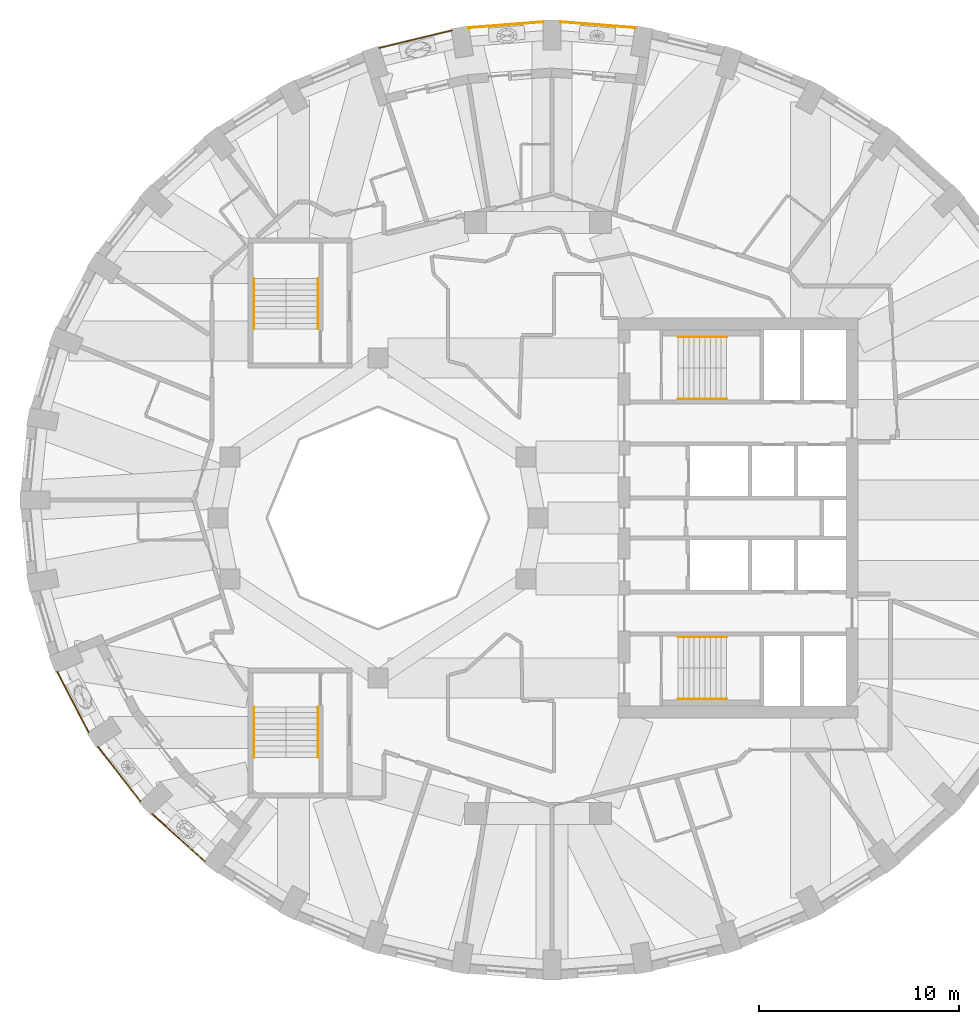
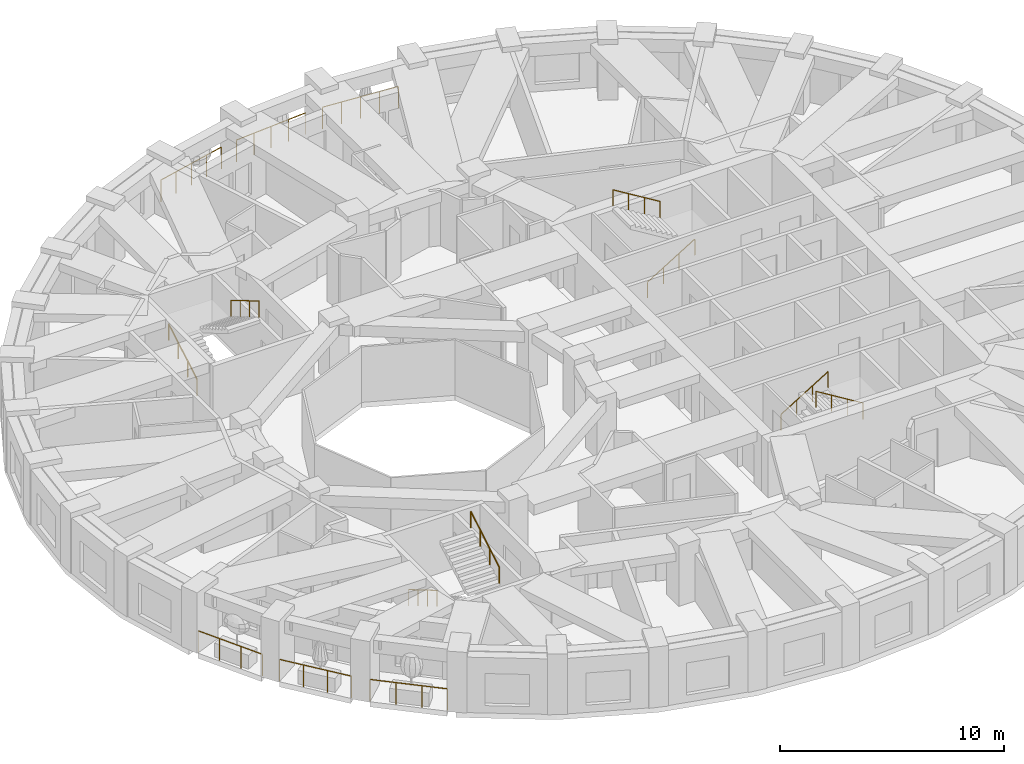
# One storey, part 10 of 12: 14 railings.
"""IFC4 building model written with IfcOpenShell, lengths in metres."""

from ifc_helpers import new_model, si_unit, direction, frame, origin, origin_2d, place, context, subcontext, project, spatial, circle, extrude, material, type_object, element, save


model = new_model("IFC4")

# Units and contexts
model_context = context("Model", 3, precision=1e-05, world=origin(), true_north=direction((0.0, 1.0)))
body_context = subcontext(model_context, "Body", "Model", "MODEL_VIEW")
ifc_project = project(units=[si_unit("LENGTHUNIT", "METRE"), si_unit("AREAUNIT", "SQUARE_METRE"), si_unit("VOLUMEUNIT", "CUBIC_METRE"), si_unit("PLANEANGLEUNIT", "RADIAN"), si_unit("MASSUNIT", "GRAM", prefix="KILO")], contexts=[model_context])

# Site, building, storey
site_placement = place(None, origin())
site = spatial("IfcSite", under=ifc_project, at=site_placement, CompositionType="ELEMENT")
building_placement = place(site_placement, origin())
building = spatial("IfcBuilding", under=site, at=building_placement, Name="Taillehof Tower", CompositionType="ELEMENT")
storey_placement = place(building_placement, frame((0.0, 0.0, 222.199951171875)))
storey = spatial("IfcBuildingStorey", under=building, at=storey_placement, Name="L63", CompositionType="ELEMENT", Elevation=222.199951171875)

# Railings
ifc_material_1 = material(Name="Stainless steel balustrade", Category="steel")
railing_type_1 = type_object("IfcRailingType", Name="Balcony guard 1200", PredefinedType="GUARDRAIL", material=ifc_material_1)
railing_1_placement = place(storey_placement, frame((4.8671875, 24.511962890625, 0.0)))
element("IfcRailing", 1, at=railing_1_placement, inside=storey, type_object=railing_type_1, Name="Balcony guard L63 bay 9", PredefinedType="GUARDRAIL", context=body_context, shape_type="SweptSolid", body=[
    extrude(circle(Radius=0.02392578125, at=origin_2d()), frame((0.0, 0.0, 1.17578125), z_axis=(-0.996920832567, 0.078414626146, 0.0), x_axis=(-0.078414626146, -0.996920832567, 0.0)), (0.0, 0.0, 1.0), 3.74853515625),
    extrude(circle(Radius=0.02099609375, at=origin_2d()), origin(), (0.0, 0.0, 1.0), 1.15185546875),
    extrude(circle(Radius=0.02099609375, at=origin_2d()), frame((-0.934326171875, 0.073486328125, 0.0)), (0.0, 0.0, 1.0), 1.15185546875),
    extrude(circle(Radius=0.02099609375, at=origin_2d()), frame((-1.86865234375, 0.14697265625, 0.0)), (0.0, 0.0, 1.0), 1.15185546875),
    extrude(circle(Radius=0.02099609375, at=origin_2d()), frame((-2.802734375, 0.220458984375, 0.0)), (0.0, 0.0, 1.0), 1.15185546875),
    extrude(circle(Radius=0.02099609375, at=origin_2d()), frame((-3.737060546875, 0.2939453125, 0.0)), (0.0, 0.0, 1.0), 1.15185546875),
])
railing_2_placement = place(storey_placement, frame((0.27001953125, 24.805908203125, 0.0)))
element("IfcRailing", 2, at=railing_2_placement, inside=storey, type_object=railing_type_1, Name="Balcony guard L63 bay 10", PredefinedType="GUARDRAIL", context=body_context, shape_type="SweptSolid", body=[
    extrude(circle(Radius=0.02392578125, at=origin_2d()), frame((0.0, 0.0, 1.17578125), z_axis=(-0.996920832567, -0.078414626146, 0.0), x_axis=(0.078414626146, -0.996920832567, 0.0)), (0.0, 0.0, 1.0), 3.74853515625),
    extrude(circle(Radius=0.02099609375, at=origin_2d()), origin(), (0.0, 0.0, 1.0), 1.15185546875),
    extrude(circle(Radius=0.02099609375, at=origin_2d()), frame((-0.934326171875, -0.073486328125, 0.0)), (0.0, 0.0, 1.0), 1.15185546875),
    extrude(circle(Radius=0.02099609375, at=origin_2d()), frame((-1.86865234375, -0.14697265625, 0.0)), (0.0, 0.0, 1.0), 1.15185546875),
    extrude(circle(Radius=0.02099609375, at=origin_2d()), frame((-2.802734375, -0.220458984375, 0.0)), (0.0, 0.0, 1.0), 1.15185546875),
    extrude(circle(Radius=0.02099609375, at=origin_2d()), frame((-3.737060546875, -0.2939453125, 0.0)), (0.0, 0.0, 1.0), 1.15185546875),
])
railing_3_placement = place(storey_placement, frame((-4.316650390625, 24.376953125, 0.0)))
element("IfcRailing", 3, at=railing_3_placement, inside=storey, type_object=railing_type_1, Name="Balcony guard L63 bay 11", PredefinedType="GUARDRAIL", context=body_context, shape_type="SweptSolid", body=[
    extrude(circle(Radius=0.02392578125, at=origin_2d()), frame((0.0, 0.0, 1.17578125), z_axis=(-0.972163104093, -0.234305140875, 0.0), x_axis=(0.234305140875, -0.972163104093, 0.0)), (0.0, 0.0, 1.0), 3.72412109375),
    extrude(circle(Radius=0.02099609375, at=origin_2d()), origin(), (0.0, 0.0, 1.0), 1.15185546875),
    extrude(circle(Radius=0.02099609375, at=origin_2d()), frame((-0.905029296875, -0.21826171875, 0.0)), (0.0, 0.0, 1.0), 1.15185546875),
    extrude(circle(Radius=0.02099609375, at=origin_2d()), frame((-1.81005859375, -0.436279296875, 0.0)), (0.0, 0.0, 1.0), 1.15185546875),
    extrude(circle(Radius=0.02099609375, at=origin_2d()), frame((-2.71533203125, -0.654296875, 0.0)), (0.0, 0.0, 1.0), 1.15185546875),
    extrude(circle(Radius=0.02099609375, at=origin_2d()), frame((-3.620361328125, -0.87255859375, 0.0)), (0.0, 0.0, 1.0), 1.15185546875),
])
railing_4_placement = place(storey_placement, frame((-24.031982421875, -7.693603515625, 0.0)))
element("IfcRailing", 4, at=railing_4_placement, inside=storey, type_object=railing_type_1, Name="Balcony guard L63 bay 21", PredefinedType="GUARDRAIL", context=body_context, shape_type="SweptSolid", body=[
    extrude(circle(Radius=0.02392578125, at=origin_2d()), frame((0.0, 0.0, 1.17578125), z_axis=(0.460229168419, -0.88780015349, 0.0), x_axis=(0.88780015349, 0.460229168419, 0.0)), (0.0, 0.0, 1.0), 3.4013671875),
    extrude(circle(Radius=0.02099609375, at=origin_2d()), origin(), (0.0, 0.0, 1.0), 1.15185546875),
    extrude(circle(Radius=0.02099609375, at=origin_2d()), frame((0.521728515625, -1.006591796875, 0.0)), (0.0, 0.0, 1.0), 1.15185546875),
    extrude(circle(Radius=0.02099609375, at=origin_2d()), frame((1.043701171875, -2.01318359375, 0.0)), (0.0, 0.0, 1.0), 1.15185546875),
    extrude(circle(Radius=0.02099609375, at=origin_2d()), frame((1.5654296875, -3.019775390625, 0.0)), (0.0, 0.0, 1.0), 1.15185546875),
])
railing_5_placement = place(storey_placement, frame((-22.00244140625, -11.4375, 0.0)))
element("IfcRailing", 5, at=railing_5_placement, inside=storey, type_object=railing_type_1, Name="Balcony guard L63 bay 22", PredefinedType="GUARDRAIL", context=body_context, shape_type="SweptSolid", body=[
    extrude(circle(Radius=0.02392578125, at=origin_2d()), frame((0.0, 0.0, 1.17578125), z_axis=(0.614233032347, -0.789124693552, 0.0), x_axis=(0.789124693552, 0.614233032347, 0.0)), (0.0, 0.0, 1.0), 3.467529296875),
    extrude(circle(Radius=0.02099609375, at=origin_2d()), origin(), (0.0, 0.0, 1.0), 1.15185546875),
    extrude(circle(Radius=0.02099609375, at=origin_2d()), frame((0.7099609375, -0.912109375, 0.0)), (0.0, 0.0, 1.0), 1.15185546875),
    extrude(circle(Radius=0.02099609375, at=origin_2d()), frame((1.419921875, -1.82421875, 0.0)), (0.0, 0.0, 1.0), 1.15185546875),
    extrude(circle(Radius=0.02099609375, at=origin_2d()), frame((2.1298828125, -2.736328125, 0.0)), (0.0, 0.0, 1.0), 1.15185546875),
])
railing_6_placement = place(storey_placement, frame((-19.286376953125, -14.80322265625, 0.0)))
element("IfcRailing", 6, at=railing_6_placement, inside=storey, type_object=railing_type_1, Name="Balcony guard L63 bay 23", PredefinedType="GUARDRAIL", context=body_context, shape_type="SweptSolid", body=[
    extrude(circle(Radius=0.02392578125, at=origin_2d()), frame((0.0, 0.0, 1.17578125), z_axis=(0.743448370075, -0.668793332079, 0.0), x_axis=(0.668793332079, 0.743448370075, 0.0)), (0.0, 0.0, 1.0), 3.541748046875),
    extrude(circle(Radius=0.02099609375, at=origin_2d()), origin(), (0.0, 0.0, 1.0), 1.15185546875),
    extrude(circle(Radius=0.02099609375, at=origin_2d()), frame((0.877685546875, -0.78955078125, 0.0)), (0.0, 0.0, 1.0), 1.15185546875),
    extrude(circle(Radius=0.02099609375, at=origin_2d()), frame((1.75537109375, -1.5791015625, 0.0)), (0.0, 0.0, 1.0), 1.15185546875),
    extrude(circle(Radius=0.02099609375, at=origin_2d()), frame((2.633056640625, -2.36865234375, 0.0)), (0.0, 0.0, 1.0), 1.15185546875),
])
ifc_material_2 = material(Name="Stainless steel", Category="steel")
railing_type_2 = type_object("IfcRailingType", Name="Stair handrail 900", PredefinedType="HANDRAIL", material=ifc_material_2)
railing_7_placement = place(storey_placement, frame((7.0, 5.949951171875, 0.1650390625)))
element("IfcRailing", 7, at=railing_7_placement, inside=storey, type_object=railing_type_2, Name="Stair S1 handrail", PredefinedType="HANDRAIL", context=body_context, shape_type="SweptSolid", body=[
    extrude(circle(Radius=0.02392578125, at=origin_2d()), frame((0.0, 0.0, 0.8759765625), z_axis=(0.853258522278, 0.0, 0.521488153423), x_axis=(0.0, 1.0, 0.0)), (0.0, 0.0, 1.0), 2.847900390625),
    extrude(circle(Radius=0.02099609375, at=origin_2d()), origin(), (0.0, 0.0, 1.0), 0.851806640625),
    extrude(circle(Radius=0.02099609375, at=origin_2d()), frame((0.81005859375, 0.0, 0.4951171875)), (0.0, 0.0, 1.0), 0.851806640625),
    extrude(circle(Radius=0.02099609375, at=origin_2d()), frame((1.619873046875, 0.0, 0.989990234375)), (0.0, 0.0, 1.0), 0.851806640625),
    extrude(circle(Radius=0.02099609375, at=origin_2d()), frame((2.429931640625, 0.0, 1.485107421875)), (0.0, 0.0, 1.0), 0.851806640625),
])
railing_8_placement = place(storey_placement, frame((9.429931640625, 9.050048828125, 1.81494140625)))
element("IfcRailing", 8, at=railing_8_placement, inside=storey, type_object=railing_type_2, Name="Stair S1 handrail", PredefinedType="HANDRAIL", context=body_context, shape_type="SweptSolid", body=[
    extrude(circle(Radius=0.02392578125, at=origin_2d()), frame((0.0, 0.0, 0.8759765625), z_axis=(-0.853258522278, 0.0, 0.521488153423), x_axis=(0.0, -1.0, 0.0)), (0.0, 0.0, 1.0), 2.847900390625),
    extrude(circle(Radius=0.02099609375, at=origin_2d()), origin(), (0.0, 0.0, 1.0), 0.851806640625),
    extrude(circle(Radius=0.02099609375, at=origin_2d()), frame((-0.81005859375, 0.0, 0.4951171875)), (0.0, 0.0, 1.0), 0.851806640625),
    extrude(circle(Radius=0.02099609375, at=origin_2d()), frame((-1.619873046875, 0.0, 0.989990234375)), (0.0, 0.0, 1.0), 0.851806640625),
    extrude(circle(Radius=0.02099609375, at=origin_2d()), frame((-2.429931640625, 0.0, 1.485107421875)), (0.0, 0.0, 1.0), 0.851806640625),
])
railing_9_placement = place(storey_placement, frame((7.0, -5.949951171875, 0.1650390625)))
element("IfcRailing", 9, at=railing_9_placement, inside=storey, type_object=railing_type_2, Name="Stair S2 handrail", PredefinedType="HANDRAIL", context=body_context, shape_type="SweptSolid", body=[
    extrude(circle(Radius=0.02392578125, at=origin_2d()), frame((0.0, 0.0, 0.8759765625), z_axis=(0.853258522278, 0.0, 0.521488153423), x_axis=(0.0, 1.0, 0.0)), (0.0, 0.0, 1.0), 2.847900390625),
    extrude(circle(Radius=0.02099609375, at=origin_2d()), origin(), (0.0, 0.0, 1.0), 0.851806640625),
    extrude(circle(Radius=0.02099609375, at=origin_2d()), frame((0.81005859375, 0.0, 0.4951171875)), (0.0, 0.0, 1.0), 0.851806640625),
    extrude(circle(Radius=0.02099609375, at=origin_2d()), frame((1.619873046875, 0.0, 0.989990234375)), (0.0, 0.0, 1.0), 0.851806640625),
    extrude(circle(Radius=0.02099609375, at=origin_2d()), frame((2.429931640625, 0.0, 1.485107421875)), (0.0, 0.0, 1.0), 0.851806640625),
])
railing_10_placement = place(storey_placement, frame((9.429931640625, -9.050048828125, 1.81494140625)))
element("IfcRailing", 10, at=railing_10_placement, inside=storey, type_object=railing_type_2, Name="Stair S2 handrail", PredefinedType="HANDRAIL", context=body_context, shape_type="SweptSolid", body=[
    extrude(circle(Radius=0.02392578125, at=origin_2d()), frame((0.0, 0.0, 0.8759765625), z_axis=(-0.853258522278, 0.0, 0.521488153423), x_axis=(0.0, -1.0, 0.0)), (0.0, 0.0, 1.0), 2.847900390625),
    extrude(circle(Radius=0.02099609375, at=origin_2d()), origin(), (0.0, 0.0, 1.0), 0.851806640625),
    extrude(circle(Radius=0.02099609375, at=origin_2d()), frame((-0.81005859375, 0.0, 0.4951171875)), (0.0, 0.0, 1.0), 0.851806640625),
    extrude(circle(Radius=0.02099609375, at=origin_2d()), frame((-1.619873046875, 0.0, 0.989990234375)), (0.0, 0.0, 1.0), 0.851806640625),
    extrude(circle(Radius=0.02099609375, at=origin_2d()), frame((-2.429931640625, 0.0, 1.485107421875)), (0.0, 0.0, 1.0), 0.851806640625),
])
railing_11_placement = place(storey_placement, frame((-14.199951171875, 9.449951171875, 0.1650390625)))
element("IfcRailing", 11, at=railing_11_placement, inside=storey, type_object=railing_type_2, Name="Stair S3 handrail", PredefinedType="HANDRAIL", context=body_context, shape_type="SweptSolid", body=[
    extrude(circle(Radius=0.02392578125, at=origin_2d()), frame((0.0, 0.0, 0.8759765625), z_axis=(0.0, 0.86152411907, 0.507716645641), x_axis=(-1.0, 0.0, 0.0)), (0.0, 0.0, 1.0), 2.925048828125),
    extrude(circle(Radius=0.02099609375, at=origin_2d()), origin(), (0.0, 0.0, 1.0), 0.851806640625),
    extrude(circle(Radius=0.02099609375, at=origin_2d()), frame((0.0, 0.840087890625, 0.4951171875)), (0.0, 0.0, 1.0), 0.851806640625),
    extrude(circle(Radius=0.02099609375, at=origin_2d()), frame((0.0, 1.679931640625, 0.989990234375)), (0.0, 0.0, 1.0), 0.851806640625),
    extrude(circle(Radius=0.02099609375, at=origin_2d()), frame((0.0, 2.52001953125, 1.485107421875)), (0.0, 0.0, 1.0), 0.851806640625),
])
for number, where, name in (
    (12, (-11.0, 11.969970703125, 1.81494140625), "Stair S3 handrail"),
    (13, (-14.199951171875, -9.449951171875, 0.1650390625), "Stair S4 handrail"),
):
    element("IfcRailing", number, at=place(storey_placement, frame(where)), inside=storey, type_object=railing_type_2, Name=name, PredefinedType="HANDRAIL", context=body_context, shape_type="SweptSolid", body=[
        extrude(circle(Radius=0.02392578125, at=origin_2d()), frame((0.0, 0.0, 0.8759765625), z_axis=(0.0, -0.86152411907, 0.507716645641), x_axis=(1.0, 0.0, 0.0)), (0.0, 0.0, 1.0), 2.925048828125),
        extrude(circle(Radius=0.02099609375, at=origin_2d()), origin(), (0.0, 0.0, 1.0), 0.851806640625),
        extrude(circle(Radius=0.02099609375, at=origin_2d()), frame((0.0, -0.840087890625, 0.4951171875)), (0.0, 0.0, 1.0), 0.851806640625),
        extrude(circle(Radius=0.02099609375, at=origin_2d()), frame((0.0, -1.679931640625, 0.989990234375)), (0.0, 0.0, 1.0), 0.851806640625),
        extrude(circle(Radius=0.02099609375, at=origin_2d()), frame((0.0, -2.52001953125, 1.485107421875)), (0.0, 0.0, 1.0), 0.851806640625),
    ])
railing_12_placement = place(storey_placement, frame((-11.0, -11.969970703125, 1.81494140625)))
element("IfcRailing", 14, at=railing_12_placement, inside=storey, type_object=railing_type_2, Name="Stair S4 handrail", PredefinedType="HANDRAIL", context=body_context, shape_type="SweptSolid", body=[
    extrude(circle(Radius=0.02392578125, at=origin_2d()), frame((0.0, 0.0, 0.8759765625), z_axis=(0.0, 0.86152411907, 0.507716645641), x_axis=(-1.0, 0.0, 0.0)), (0.0, 0.0, 1.0), 2.925048828125),
    extrude(circle(Radius=0.02099609375, at=origin_2d()), origin(), (0.0, 0.0, 1.0), 0.851806640625),
    extrude(circle(Radius=0.02099609375, at=origin_2d()), frame((0.0, 0.840087890625, 0.4951171875)), (0.0, 0.0, 1.0), 0.851806640625),
    extrude(circle(Radius=0.02099609375, at=origin_2d()), frame((0.0, 1.679931640625, 0.989990234375)), (0.0, 0.0, 1.0), 0.851806640625),
    extrude(circle(Radius=0.02099609375, at=origin_2d()), frame((0.0, 2.52001953125, 1.485107421875)), (0.0, 0.0, 1.0), 0.851806640625),
])

save(model, "model.ifc")
